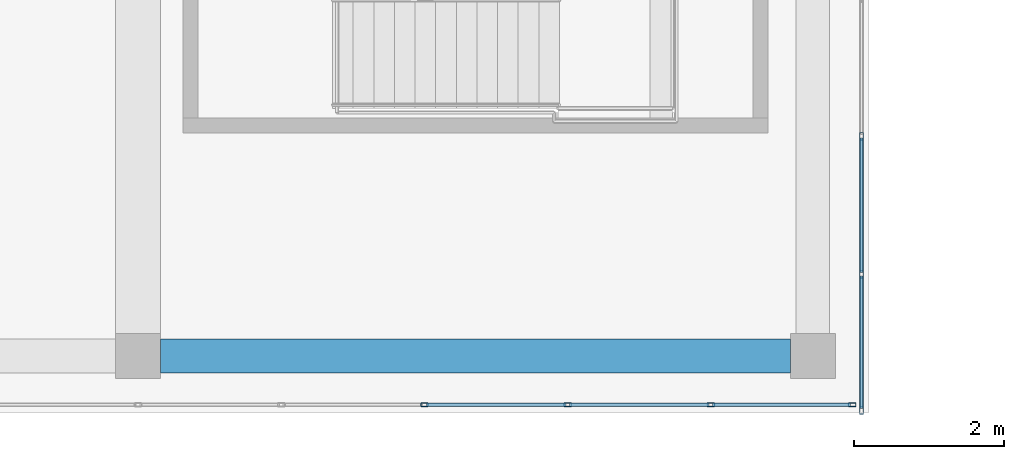
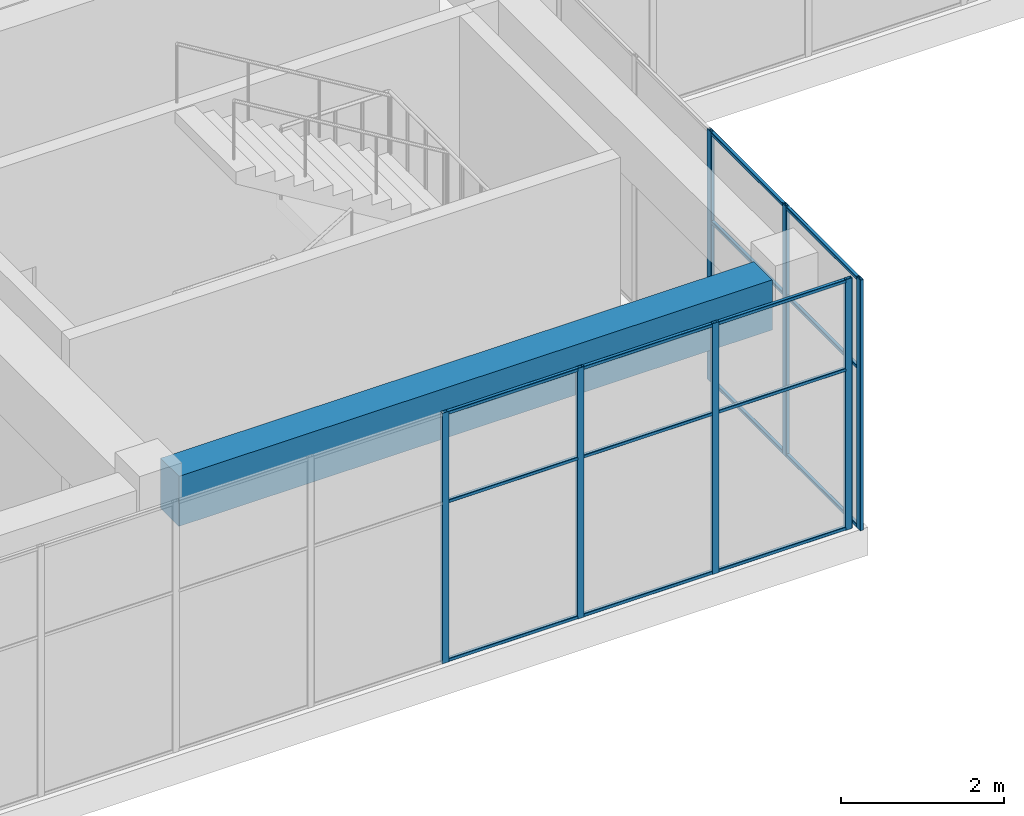
# One storey, part 11 of 32: 22 members, 1 beam, 2 elements without a shape of their own.
"""IFC4 building model written with IfcOpenShell, lengths in metres."""

from ifc_helpers import new_model, si_unit, direction, frame, origin, origin_2d, place, context, subcontext, project, spatial, rectangle, hollow_rectangle, extrude, material, layer, layer_set, material_profile, profile_set, type_object, element, aggregate, save


model = new_model("IFC4")

# Units and contexts
model_context = context("Model", 3, precision=1e-05, world=origin(), true_north=direction((0.0, 1.0)))
body_context = subcontext(model_context, "Body", "Model", "MODEL_VIEW")
ifc_project = project(units=[si_unit("LENGTHUNIT", "METRE"), si_unit("AREAUNIT", "SQUARE_METRE"), si_unit("VOLUMEUNIT", "CUBIC_METRE"), si_unit("PLANEANGLEUNIT", "RADIAN"), si_unit("MASSUNIT", "GRAM", prefix="KILO")], contexts=[model_context])

# Site, building, storey
site_placement = place(None, origin())
site = spatial("IfcSite", under=ifc_project, at=site_placement, CompositionType="ELEMENT")
building_placement = place(site_placement, origin())
building = spatial("IfcBuilding", under=site, at=building_placement, Name="Tuart Plaza Theatre", CompositionType="ELEMENT")
storey_placement = place(building_placement, frame((0.0, 0.0, 41.5)))
storey = spatial("IfcBuildingStorey", under=building, at=storey_placement, Name="L10", CompositionType="ELEMENT", Elevation=41.5)

# Beam
ifc_material_1 = material(Name="Concrete N40 (40 MPa)", Category="concrete")
ifc_material_profile_1 = material_profile(ifc_material_1, rectangle(XDim=0.449951171875, YDim=0.75, at=origin_2d()), Name="BEAM 450x750 Concrete N40 (40 MPa)")
ifc_profile_set_1 = profile_set([ifc_material_profile_1], Name="Concrete N40 (40 MPa)")
beam_type = type_object("IfcBeamType", Name="BEAM 450x750 Concrete N40 (40 MPa)", PredefinedType="BEAM", material=ifc_profile_set_1)
beam_placement = place(storey_placement, frame((132.300048828125, 56.0, 3.375), z_axis=(1.0, 0.0, 0.0), x_axis=(0.0, 1.0, 0.0)))
element("IfcBeam", 1, at=beam_placement, inside=storey, type_object=beam_type, Name="RB301", PredefinedType="BEAM", context=body_context, shape_type="SweptSolid", body=[
    extrude(rectangle(XDim=0.449951171875, YDim=0.75, at=origin_2d()), origin(), (0.0, 0.0, 1.0), 8.39990234375),
])

# Curtain wall, members
ifc_material_2 = material(Name="Aluminium and glass", Category="aluminium")
ifc_layer = layer(ifc_material_2, 0.10009765625)
ifc_layer_set = layer_set([ifc_layer], Name="CURTAIN WALL 2000 module")
curtain_wall_type = type_object("IfcCurtainWallType", Name="CURTAIN WALL 2000 module", PredefinedType="NOTDEFINED", material=ifc_layer_set)
curtain_wall_1_placement = place(storey_placement, origin())
curtain_wall_1 = element("IfcCurtainWall", 2, at=curtain_wall_1_placement, inside=storey, type_object=curtain_wall_type, Name="CW100", PredefinedType="NOTDEFINED")
ifc_material_3 = material(Name="Aluminium 6063-T5", Category="aluminium")
ifc_material_profile_2 = material_profile(ifc_material_3, hollow_rectangle(XDim=0.050048828125, YDim=0.10009765625, WallThickness=0.00390625, InnerFilletRadius=0.00390625, OuterFilletRadius=0.008056640625, at=origin_2d()), Name="RHS 100x50x4")
ifc_profile_set_2 = profile_set([ifc_material_profile_2], Name="Aluminium 6063-T5")
member_type_1 = type_object("IfcMemberType", Name="MULLION RHS 100x50x4", PredefinedType="MULLION", material=ifc_profile_set_2)
member_1_placement = place(storey_placement, frame((141.64990234375, 55.27490234375, 0.0), z_axis=(0.0, 0.0, 1.0), x_axis=(-1.0, 0.0, 0.0)))
member_1 = element("IfcMember", 3, at=member_1_placement, type_object=member_type_1, Name="CW100 mullion 1", PredefinedType="MULLION", context=body_context, shape_type="SweptSolid", body=[
    extrude(hollow_rectangle(XDim=0.050048828125, YDim=0.10009765625, WallThickness=0.00390625, InnerFilletRadius=0.00390625, OuterFilletRadius=0.008056640625, at=origin_2d()), origin(), (0.0, 0.0, 1.0), 3.75),
])
member_2_placement = place(storey_placement, frame((141.64990234375, 57.090087890625, 0.0), z_axis=(0.0, 0.0, 1.0), x_axis=(-1.0, 0.0, 0.0)))
member_2 = element("IfcMember", 4, at=member_2_placement, type_object=member_type_1, Name="CW100 mullion 2", PredefinedType="MULLION", context=body_context, shape_type="SweptSolid", body=[
    extrude(hollow_rectangle(XDim=0.050048828125, YDim=0.10009765625, WallThickness=0.00390625, InnerFilletRadius=0.00390625, OuterFilletRadius=0.008056640625, at=origin_2d()), origin(), (0.0, 0.0, 1.0), 3.75),
])
member_3_placement = place(storey_placement, frame((141.64990234375, 58.929931640625, 0.0), z_axis=(0.0, 0.0, 1.0), x_axis=(-1.0, 0.0, 0.0)))
member_3 = element("IfcMember", 5, at=member_3_placement, type_object=member_type_1, Name="CW100 mullion 3", PredefinedType="MULLION", context=body_context, shape_type="SweptSolid", body=[
    extrude(hollow_rectangle(XDim=0.050048828125, YDim=0.10009765625, WallThickness=0.00390625, InnerFilletRadius=0.00390625, OuterFilletRadius=0.008056640625, at=origin_2d()), origin(), (0.0, 0.0, 1.0), 3.75),
])

curtain_wall_2_placement = place(storey_placement, origin())
curtain_wall_2 = element("IfcCurtainWall", 6, at=curtain_wall_2_placement, inside=storey, type_object=curtain_wall_type, Name="CW111", PredefinedType="NOTDEFINED")
member_4_placement = place(storey_placement, frame((135.820068359375, 55.35009765625, 0.0), z_axis=(0.0, 0.0, 1.0), x_axis=(0.0, 1.0, 0.0)))
member_4 = element("IfcMember", 7, at=member_4_placement, type_object=member_type_1, Name="CW111 mullion 8", PredefinedType="MULLION", context=body_context, shape_type="SweptSolid", body=[
    extrude(hollow_rectangle(XDim=0.050048828125, YDim=0.10009765625, WallThickness=0.00390625, InnerFilletRadius=0.00390625, OuterFilletRadius=0.008056640625, at=origin_2d()), origin(), (0.0, 0.0, 1.0), 3.75),
])
member_5_placement = place(storey_placement, frame((137.72998046875, 55.35009765625, 0.0), z_axis=(0.0, 0.0, 1.0), x_axis=(0.0, 1.0, 0.0)))
member_5 = element("IfcMember", 8, at=member_5_placement, type_object=member_type_1, Name="CW111 mullion 9", PredefinedType="MULLION", context=body_context, shape_type="SweptSolid", body=[
    extrude(hollow_rectangle(XDim=0.050048828125, YDim=0.10009765625, WallThickness=0.00390625, InnerFilletRadius=0.00390625, OuterFilletRadius=0.008056640625, at=origin_2d()), origin(), (0.0, 0.0, 1.0), 3.75),
])
member_6_placement = place(storey_placement, frame((139.639892578125, 55.35009765625, 0.0), z_axis=(0.0, 0.0, 1.0), x_axis=(0.0, 1.0, 0.0)))
member_6 = element("IfcMember", 9, at=member_6_placement, type_object=member_type_1, Name="CW111 mullion 10", PredefinedType="MULLION", context=body_context, shape_type="SweptSolid", body=[
    extrude(hollow_rectangle(XDim=0.050048828125, YDim=0.10009765625, WallThickness=0.00390625, InnerFilletRadius=0.00390625, OuterFilletRadius=0.008056640625, at=origin_2d()), origin(), (0.0, 0.0, 1.0), 3.75),
])
member_7_placement = place(storey_placement, frame((141.52490234375, 55.35009765625, 0.0), z_axis=(0.0, 0.0, 1.0), x_axis=(0.0, 1.0, 0.0)))
member_7 = element("IfcMember", 10, at=member_7_placement, type_object=member_type_1, Name="CW111 mullion 11", PredefinedType="MULLION", context=body_context, shape_type="SweptSolid", body=[
    extrude(hollow_rectangle(XDim=0.050048828125, YDim=0.10009765625, WallThickness=0.00390625, InnerFilletRadius=0.00390625, OuterFilletRadius=0.008056640625, at=origin_2d()), origin(), (0.0, 0.0, 1.0), 3.75),
])

# Member
ifc_material_4 = material(Name="Aluminium 6063-T5", Category="aluminium")
ifc_material_profile_3 = material_profile(ifc_material_4, hollow_rectangle(XDim=0.050048828125, YDim=0.050048828125, WallThickness=0.00390625, InnerFilletRadius=0.00390625, OuterFilletRadius=0.008056640625, at=origin_2d()), Name="RHS 50x50x4")
ifc_profile_set_3 = profile_set([ifc_material_profile_3], Name="Aluminium 6063-T5")
member_type_2 = type_object("IfcMemberType", Name="TRANSOM RHS 50x50x4", PredefinedType="USERDEFINED", material=ifc_profile_set_3)
member_8_placement = place(storey_placement, frame((141.64990234375, 55.300048828125, 0.02490234375), z_axis=(0.0, 1.0, 0.0), x_axis=(-1.0, 0.0, 0.0)))
member_8 = element("IfcMember", 11, at=member_8_placement, type_object=member_type_2, Name="CW100 transom 1.1", ObjectType="TRANSOM", PredefinedType="USERDEFINED", context=body_context, shape_type="SweptSolid", body=[
    extrude(hollow_rectangle(XDim=0.050048828125, YDim=0.050048828125, WallThickness=0.00390625, InnerFilletRadius=0.00390625, OuterFilletRadius=0.008056640625, at=origin_2d()), origin(), (0.0, 0.0, 1.0), 1.764892578125),
])

member_9_placement = place(storey_placement, frame((141.64990234375, 55.300048828125, 2.39990234375), z_axis=(0.0, 1.0, 0.0), x_axis=(-1.0, 0.0, 0.0)))
member_9 = element("IfcMember", 12, at=member_9_placement, type_object=member_type_2, Name="CW100 transom 1.2", ObjectType="TRANSOM", PredefinedType="USERDEFINED", context=body_context, shape_type="SweptSolid", body=[
    extrude(hollow_rectangle(XDim=0.050048828125, YDim=0.050048828125, WallThickness=0.00390625, InnerFilletRadius=0.00390625, OuterFilletRadius=0.008056640625, at=origin_2d()), origin(), (0.0, 0.0, 1.0), 1.764892578125),
])

member_10_placement = place(storey_placement, frame((141.64990234375, 55.300048828125, 3.72509765625), z_axis=(0.0, 1.0, 0.0), x_axis=(-1.0, 0.0, 0.0)))
member_10 = element("IfcMember", 13, at=member_10_placement, type_object=member_type_2, Name="CW100 transom 1.3", ObjectType="TRANSOM", PredefinedType="USERDEFINED", context=body_context, shape_type="SweptSolid", body=[
    extrude(hollow_rectangle(XDim=0.050048828125, YDim=0.050048828125, WallThickness=0.00390625, InnerFilletRadius=0.00390625, OuterFilletRadius=0.008056640625, at=origin_2d()), origin(), (0.0, 0.0, 1.0), 1.764892578125),
])

member_11_placement = place(storey_placement, frame((141.64990234375, 57.114990234375, 0.02490234375), z_axis=(0.0, 1.0, 0.0), x_axis=(-1.0, 0.0, 0.0)))
member_11 = element("IfcMember", 14, at=member_11_placement, type_object=member_type_2, Name="CW100 transom 2.1", ObjectType="TRANSOM", PredefinedType="USERDEFINED", context=body_context, shape_type="SweptSolid", body=[
    extrude(hollow_rectangle(XDim=0.050048828125, YDim=0.050048828125, WallThickness=0.00390625, InnerFilletRadius=0.00390625, OuterFilletRadius=0.008056640625, at=origin_2d()), origin(), (0.0, 0.0, 1.0), 1.7900390625),
])

member_12_placement = place(storey_placement, frame((141.64990234375, 57.114990234375, 2.39990234375), z_axis=(0.0, 1.0, 0.0), x_axis=(-1.0, 0.0, 0.0)))
member_12 = element("IfcMember", 15, at=member_12_placement, type_object=member_type_2, Name="CW100 transom 2.2", ObjectType="TRANSOM", PredefinedType="USERDEFINED", context=body_context, shape_type="SweptSolid", body=[
    extrude(hollow_rectangle(XDim=0.050048828125, YDim=0.050048828125, WallThickness=0.00390625, InnerFilletRadius=0.00390625, OuterFilletRadius=0.008056640625, at=origin_2d()), origin(), (0.0, 0.0, 1.0), 1.7900390625),
])

member_13_placement = place(storey_placement, frame((141.64990234375, 57.114990234375, 3.72509765625), z_axis=(0.0, 1.0, 0.0), x_axis=(-1.0, 0.0, 0.0)))
member_13 = element("IfcMember", 16, at=member_13_placement, type_object=member_type_2, Name="CW100 transom 2.3", ObjectType="TRANSOM", PredefinedType="USERDEFINED", context=body_context, shape_type="SweptSolid", body=[
    extrude(hollow_rectangle(XDim=0.050048828125, YDim=0.050048828125, WallThickness=0.00390625, InnerFilletRadius=0.00390625, OuterFilletRadius=0.008056640625, at=origin_2d()), origin(), (0.0, 0.0, 1.0), 1.7900390625),
])

aggregate(curtain_wall_1, [member_1, member_2, member_3, member_8, member_9, member_10, member_11, member_12, member_13])

member_14_placement = place(storey_placement, frame((135.844970703125, 55.35009765625, 0.02490234375), z_axis=(1.0, 0.0, 0.0), x_axis=(0.0, 1.0, 0.0)))
member_14 = element("IfcMember", 17, at=member_14_placement, type_object=member_type_2, Name="CW111 transom 8.1", ObjectType="TRANSOM", PredefinedType="USERDEFINED", context=body_context, shape_type="SweptSolid", body=[
    extrude(hollow_rectangle(XDim=0.050048828125, YDim=0.050048828125, WallThickness=0.00390625, InnerFilletRadius=0.00390625, OuterFilletRadius=0.008056640625, at=origin_2d()), origin(), (0.0, 0.0, 1.0), 1.860107421875),
])

member_15_placement = place(storey_placement, frame((135.844970703125, 55.35009765625, 2.39990234375), z_axis=(1.0, 0.0, 0.0), x_axis=(0.0, 1.0, 0.0)))
member_15 = element("IfcMember", 18, at=member_15_placement, type_object=member_type_2, Name="CW111 transom 8.2", ObjectType="TRANSOM", PredefinedType="USERDEFINED", context=body_context, shape_type="SweptSolid", body=[
    extrude(hollow_rectangle(XDim=0.050048828125, YDim=0.050048828125, WallThickness=0.00390625, InnerFilletRadius=0.00390625, OuterFilletRadius=0.008056640625, at=origin_2d()), origin(), (0.0, 0.0, 1.0), 1.860107421875),
])

member_16_placement = place(storey_placement, frame((135.844970703125, 55.35009765625, 3.72509765625), z_axis=(1.0, 0.0, 0.0), x_axis=(0.0, 1.0, 0.0)))
member_16 = element("IfcMember", 19, at=member_16_placement, type_object=member_type_2, Name="CW111 transom 8.3", ObjectType="TRANSOM", PredefinedType="USERDEFINED", context=body_context, shape_type="SweptSolid", body=[
    extrude(hollow_rectangle(XDim=0.050048828125, YDim=0.050048828125, WallThickness=0.00390625, InnerFilletRadius=0.00390625, OuterFilletRadius=0.008056640625, at=origin_2d()), origin(), (0.0, 0.0, 1.0), 1.860107421875),
])

member_17_placement = place(storey_placement, frame((137.7548828125, 55.35009765625, 0.02490234375), z_axis=(1.0, 0.0, 0.0), x_axis=(0.0, 1.0, 0.0)))
member_17 = element("IfcMember", 20, at=member_17_placement, type_object=member_type_2, Name="CW111 transom 9.1", ObjectType="TRANSOM", PredefinedType="USERDEFINED", context=body_context, shape_type="SweptSolid", body=[
    extrude(hollow_rectangle(XDim=0.050048828125, YDim=0.050048828125, WallThickness=0.00390625, InnerFilletRadius=0.00390625, OuterFilletRadius=0.008056640625, at=origin_2d()), origin(), (0.0, 0.0, 1.0), 1.860107421875),
])

member_18_placement = place(storey_placement, frame((137.7548828125, 55.35009765625, 2.39990234375), z_axis=(1.0, 0.0, 0.0), x_axis=(0.0, 1.0, 0.0)))
member_18 = element("IfcMember", 21, at=member_18_placement, type_object=member_type_2, Name="CW111 transom 9.2", ObjectType="TRANSOM", PredefinedType="USERDEFINED", context=body_context, shape_type="SweptSolid", body=[
    extrude(hollow_rectangle(XDim=0.050048828125, YDim=0.050048828125, WallThickness=0.00390625, InnerFilletRadius=0.00390625, OuterFilletRadius=0.008056640625, at=origin_2d()), origin(), (0.0, 0.0, 1.0), 1.860107421875),
])

member_19_placement = place(storey_placement, frame((137.7548828125, 55.35009765625, 3.72509765625), z_axis=(1.0, 0.0, 0.0), x_axis=(0.0, 1.0, 0.0)))
member_19 = element("IfcMember", 22, at=member_19_placement, type_object=member_type_2, Name="CW111 transom 9.3", ObjectType="TRANSOM", PredefinedType="USERDEFINED", context=body_context, shape_type="SweptSolid", body=[
    extrude(hollow_rectangle(XDim=0.050048828125, YDim=0.050048828125, WallThickness=0.00390625, InnerFilletRadius=0.00390625, OuterFilletRadius=0.008056640625, at=origin_2d()), origin(), (0.0, 0.0, 1.0), 1.860107421875),
])

member_20_placement = place(storey_placement, frame((139.6650390625, 55.35009765625, 0.02490234375), z_axis=(1.0, 0.0, 0.0), x_axis=(0.0, 1.0, 0.0)))
member_20 = element("IfcMember", 23, at=member_20_placement, type_object=member_type_2, Name="CW111 transom 10.1", ObjectType="TRANSOM", PredefinedType="USERDEFINED", context=body_context, shape_type="SweptSolid", body=[
    extrude(hollow_rectangle(XDim=0.050048828125, YDim=0.050048828125, WallThickness=0.00390625, InnerFilletRadius=0.00390625, OuterFilletRadius=0.008056640625, at=origin_2d()), origin(), (0.0, 0.0, 1.0), 1.8349609375),
])

member_21_placement = place(storey_placement, frame((139.6650390625, 55.35009765625, 2.39990234375), z_axis=(1.0, 0.0, 0.0), x_axis=(0.0, 1.0, 0.0)))
member_21 = element("IfcMember", 24, at=member_21_placement, type_object=member_type_2, Name="CW111 transom 10.2", ObjectType="TRANSOM", PredefinedType="USERDEFINED", context=body_context, shape_type="SweptSolid", body=[
    extrude(hollow_rectangle(XDim=0.050048828125, YDim=0.050048828125, WallThickness=0.00390625, InnerFilletRadius=0.00390625, OuterFilletRadius=0.008056640625, at=origin_2d()), origin(), (0.0, 0.0, 1.0), 1.8349609375),
])

member_22_placement = place(storey_placement, frame((139.6650390625, 55.35009765625, 3.72509765625), z_axis=(1.0, 0.0, 0.0), x_axis=(0.0, 1.0, 0.0)))
member_22 = element("IfcMember", 25, at=member_22_placement, type_object=member_type_2, Name="CW111 transom 10.3", ObjectType="TRANSOM", PredefinedType="USERDEFINED", context=body_context, shape_type="SweptSolid", body=[
    extrude(hollow_rectangle(XDim=0.050048828125, YDim=0.050048828125, WallThickness=0.00390625, InnerFilletRadius=0.00390625, OuterFilletRadius=0.008056640625, at=origin_2d()), origin(), (0.0, 0.0, 1.0), 1.8349609375),
])

aggregate(curtain_wall_2, [member_4, member_5, member_6, member_7, member_14, member_15, member_16, member_17, member_18, member_19, member_20, member_21, member_22])

save(model, "model.ifc")
